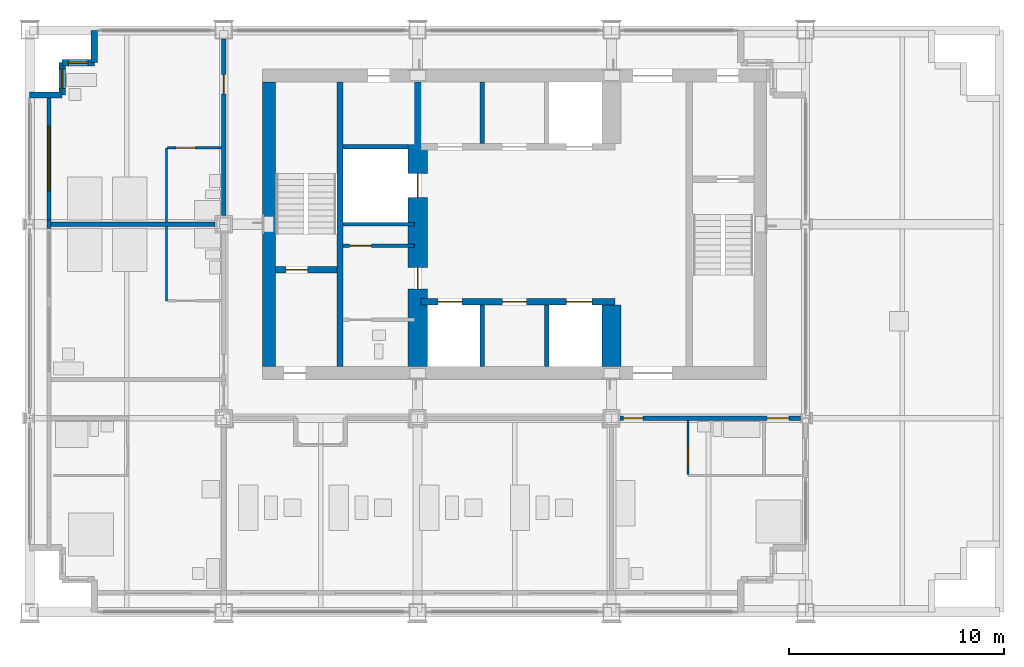
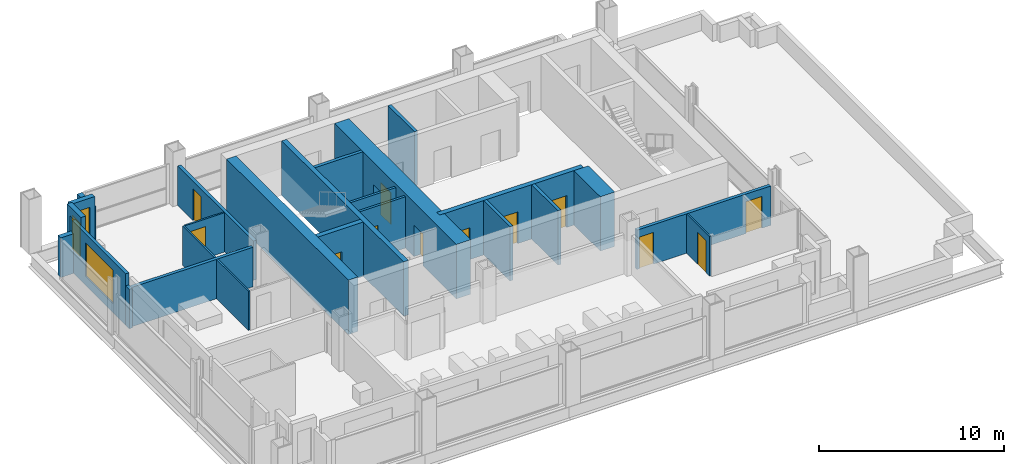
# One storey, part 7 of 12: 25 walls, 12 doors, 3 windows, 15 openings.
"""IFC4 building model written with IfcOpenShell, lengths in metres."""

from ifc_helpers import new_model, si_unit, direction, frame, frame_2d, origin, place, context, subcontext, project, spatial, rectangle, extrude, material, layer, layer_set, type_object, element, fill, save


model = new_model("IFC4")

# Units and contexts
model_context = context("Model", 3, precision=1e-05, world=origin(), true_north=direction((0.0, 1.0)))
body_context = subcontext(model_context, "Body", "Model", "MODEL_VIEW")
ifc_project = project(units=[si_unit("LENGTHUNIT", "METRE"), si_unit("AREAUNIT", "SQUARE_METRE"), si_unit("VOLUMEUNIT", "CUBIC_METRE"), si_unit("PLANEANGLEUNIT", "RADIAN"), si_unit("MASSUNIT", "GRAM", prefix="KILO")], contexts=[model_context])

# Site, building, storey
site_placement = place(None, origin())
site = spatial("IfcSite", under=ifc_project, at=site_placement, CompositionType="ELEMENT")
building_placement = place(site_placement, origin())
building = spatial("IfcBuilding", under=site, at=building_placement, Name="Loomwork Tower", CompositionType="ELEMENT")
storey_placement = place(building_placement, frame((0.0, 0.0, 226.60009765625)))
storey = spatial("IfcBuildingStorey", under=building, at=storey_placement, Name="L62", CompositionType="ELEMENT", Elevation=226.60009765625)

# Wall
ifc_material_1 = material(Name="Concrete 14000 psi (97 MPa)", Category="concrete")
ifc_layer_1 = layer(ifc_material_1, 0.300048828125)
ifc_layer_set_1 = layer_set([ifc_layer_1], Name="Core shear wall 300")
wall_type_1 = type_object("IfcWallType", Name="Core shear wall 300", PredefinedType="SHEAR", material=ifc_layer_set_1)
wall_1_placement = place(storey_placement, frame((14.39990234375, 11.39990234375, 0.0), z_axis=(0.0, 0.0, 1.0), x_axis=(0.0, 1.0, 0.0)))
element("IfcWall", 1, at=wall_1_placement, inside=storey, type_object=wall_type_1, Name="Stair A east wall L62", PredefinedType="SHEAR", context=body_context, shape_type="SweptSolid", body=[
    extrude(rectangle(XDim=13.2001953125, YDim=0.300048828125, at=frame_2d((6.60009765625, 0.0))), origin(), (0.0, 0.0, 1.0), 3.599853515625),
])

# Wall, opening, door
wall_2_placement = place(storey_placement, frame((11.39990234375, 15.89990234375, 0.0), z_axis=(0.0, 0.0, 1.0), x_axis=(1.0, 0.0, 0.0)))
wall_2 = element("IfcWall", 2, at=wall_2_placement, inside=storey, type_object=wall_type_1, Name="Stair A south wall L62", PredefinedType="SHEAR", context=body_context, shape_type="SweptSolid", body=[
    extrude(rectangle(XDim=2.85009765625, YDim=0.300048828125, at=frame_2d((1.425048828125, 0.0))), origin(), (0.0, 0.0, 1.0), 3.599853515625),
])
opening_1_placement = place(wall_2_placement, frame((0.5, 0.0, 0.0)))
opening_1 = element("IfcOpeningElement", 3, at=opening_1_placement, cuts=wall_2, Name="Opening D4", PredefinedType="OPENING", context=body_context, shape_type="SweptSolid", body=[
    extrude(rectangle(XDim=1.0, YDim=2.10009765625, at=frame_2d((0.5, 1.050048828125))), frame((0.0, 0.159912109375, 0.0), z_axis=(0.0, -1.0, 0.0), x_axis=(1.0, 0.0, 0.0)), (0.0, 0.0, 1.0), 0.320068359375),
])
ifc_material_2 = material(Name="Hollow metal door and frame")
door_type_1 = type_object("IfcDoorType", Name="Stair door 1000", OperationType="SINGLE_SWING_RIGHT", PredefinedType="DOOR", material=ifc_material_2)
door_1_placement = place(opening_1_placement, origin())
door_1 = element("IfcDoor", 4, at=door_1_placement, inside=storey, type_object=door_type_1, Name="Stair A door", OperationType="SINGLE_SWING_LEFT", OverallHeight=2.10009765625, OverallWidth=1.0, PredefinedType="DOOR", context=body_context, shape_type="SweptSolid", body=[
    extrude(rectangle(XDim=1.0, YDim=2.10009765625, at=frame_2d((0.5, 1.050048828125))), frame((0.0, 0.02490234375, 0.0), z_axis=(0.0, -1.0, 0.0), x_axis=(1.0, 0.0, 0.0)), (0.0, 0.0, 1.0), 0.050048828125),
])
fill(opening_1, door_1)

# Wall, openings, doors
wall_3_placement = place(storey_placement, frame((18.14990234375, 14.39990234375, 0.0), z_axis=(0.0, 0.0, 1.0), x_axis=(1.0, 0.0, 0.0)))
wall_3 = element("IfcWall", 5, at=wall_3_placement, inside=storey, type_object=wall_type_1, Name="Lift front wall south L62", PredefinedType="SHEAR", context=body_context, shape_type="SweptSolid", body=[
    extrude(rectangle(XDim=9.0, YDim=0.300048828125, at=frame_2d((4.5, 0.0))), origin(), (0.0, 0.0, 1.0), 3.599853515625),
])
opening_2_placement = place(wall_3_placement, frame((0.800048828125, 0.0, 0.0)))
opening_2 = element("IfcOpeningElement", 6, at=opening_2_placement, cuts=wall_3, Name="Opening LD1", PredefinedType="OPENING", context=body_context, shape_type="SweptSolid", body=[
    extrude(rectangle(XDim=1.10009765625, YDim=2.10009765625, at=frame_2d((0.550048828125, 1.050048828125))), frame((0.0, 0.159912109375, 0.0), z_axis=(0.0, -1.0, 0.0), x_axis=(1.0, 0.0, 0.0)), (0.0, 0.0, 1.0), 0.320068359375),
])
opening_3_placement = place(wall_3_placement, frame((6.75, 0.0, 0.0)))
opening_3 = element("IfcOpeningElement", 7, at=opening_3_placement, cuts=wall_3, Name="Opening LD2", PredefinedType="OPENING", context=body_context, shape_type="SweptSolid", body=[
    extrude(rectangle(XDim=1.199951171875, YDim=2.10009765625, at=frame_2d((0.60009765625, 1.050048828125))), frame((0.0, 0.159912109375, 0.0), z_axis=(0.0, -1.0, 0.0), x_axis=(1.0, 0.0, 0.0)), (0.0, 0.0, 1.0), 0.320068359375),
])
opening_4_placement = place(wall_3_placement, frame((3.800048828125, 0.0, 0.0)))
opening_4 = element("IfcOpeningElement", 8, at=opening_4_placement, cuts=wall_3, Name="Opening D17", PredefinedType="OPENING", context=body_context, shape_type="SweptSolid", body=[
    extrude(rectangle(XDim=1.10009765625, YDim=2.10009765625, at=frame_2d((0.550048828125, 1.050048828125))), frame((0.0, 0.159912109375, 0.0), z_axis=(0.0, -1.0, 0.0), x_axis=(1.0, 0.0, 0.0)), (0.0, 0.0, 1.0), 0.320068359375),
])
ifc_material_3 = material(Name="Hollow metal door and frame")
door_type_2 = type_object("IfcDoorType", Name="Lift landing door 1100", OperationType="SLIDING_TO_LEFT", PredefinedType="DOOR", material=ifc_material_3)
door_2_placement = place(opening_2_placement, origin())
door_2 = element("IfcDoor", 9, at=door_2_placement, inside=storey, type_object=door_type_2, Name="Lift landing door LC1", OperationType="SLIDING_TO_LEFT", OverallHeight=2.10009765625, OverallWidth=1.10009765625, PredefinedType="DOOR", context=body_context, shape_type="SweptSolid", body=[
    extrude(rectangle(XDim=1.10009765625, YDim=2.10009765625, at=frame_2d((0.550048828125, 1.050048828125))), frame((0.0, 0.02490234375, 0.0), z_axis=(0.0, -1.0, 0.0), x_axis=(1.0, 0.0, 0.0)), (0.0, 0.0, 1.0), 0.050048828125),
])
fill(opening_2, door_2)
ifc_material_4 = material(Name="Hollow metal door and frame")
door_type_3 = type_object("IfcDoorType", Name="Lift landing door 1200", OperationType="SLIDING_TO_LEFT", PredefinedType="DOOR", material=ifc_material_4)
door_3_placement = place(opening_3_placement, origin())
door_3 = element("IfcDoor", 10, at=door_3_placement, inside=storey, type_object=door_type_3, Name="Lift landing door LF1", OperationType="SLIDING_TO_LEFT", OverallHeight=2.10009765625, OverallWidth=1.199951171875, PredefinedType="DOOR", context=body_context, shape_type="SweptSolid", body=[
    extrude(rectangle(XDim=1.199951171875, YDim=2.10009765625, at=frame_2d((0.60009765625, 1.050048828125))), frame((0.0, 0.02490234375, 0.0), z_axis=(0.0, -1.0, 0.0), x_axis=(1.0, 0.0, 0.0)), (0.0, 0.0, 1.0), 0.050048828125),
])
fill(opening_3, door_3)
ifc_material_5 = material(Name="Hollow metal door and frame")
door_type_4 = type_object("IfcDoorType", Name="Service room door 1100", OperationType="SINGLE_SWING_LEFT", PredefinedType="DOOR", material=ifc_material_5)
door_4_placement = place(opening_4_placement, frame((1.10009765625, 0.0, 0.0), z_axis=(0.0, 0.0, 1.0), x_axis=(-1.0, 0.0, 0.0)))
door_4 = element("IfcDoor", 11, at=door_4_placement, inside=storey, type_object=door_type_4, Name="Storage room door L62", OperationType="SINGLE_SWING_RIGHT", OverallHeight=2.10009765625, OverallWidth=1.10009765625, PredefinedType="DOOR", context=body_context, shape_type="SweptSolid", body=[
    extrude(rectangle(XDim=1.10009765625, YDim=2.10009765625, at=frame_2d((0.550048828125, 1.050048828125))), frame((0.0, 0.02490234375, 0.0), z_axis=(0.0, -1.0, 0.0), x_axis=(1.0, 0.0, 0.0)), (0.0, 0.0, 1.0), 0.050048828125),
])
fill(opening_4, door_4)

# Wall
ifc_material_6 = material(Name="Concrete 14000 psi (97 MPa)", Category="concrete")
ifc_layer_2 = layer(ifc_material_6, 0.60009765625)
ifc_layer_set_2 = layer_set([ifc_layer_2], Name="Core shear wall 600")
wall_type_2 = type_object("IfcWallType", Name="Core shear wall 600", PredefinedType="SHEAR", material=ifc_layer_set_2)
wall_4_placement = place(storey_placement, frame((11.10009765625, 11.39990234375, 0.0), z_axis=(0.0, 0.0, 1.0), x_axis=(0.0, 1.0, 0.0)))
element("IfcWall", 12, at=wall_4_placement, inside=storey, type_object=wall_type_2, Name="Core wall west L62", PredefinedType="SHEAR", context=body_context, shape_type="SweptSolid", body=[
    extrude(rectangle(XDim=13.2001953125, YDim=0.60009765625, at=frame_2d((6.60009765625, 0.0))), origin(), (0.0, 0.0, 1.0), 3.599853515625),
])

# Wall, openings, doors
ifc_material_7 = material(Name="Concrete 14000 psi (97 MPa)", Category="concrete")
ifc_layer_3 = layer(ifc_material_7, 0.89990234375)
ifc_layer_set_3 = layer_set([ifc_layer_3], Name="Core shear wall 900")
wall_type_3 = type_object("IfcWallType", Name="Core shear wall 900", PredefinedType="SHEAR", material=ifc_layer_set_3)
wall_5_placement = place(storey_placement, frame((18.0, 11.39990234375, 0.0), z_axis=(0.0, 0.0, 1.0), x_axis=(0.0, 1.0, 0.0)))
wall_5 = element("IfcWall", 13, at=wall_5_placement, inside=storey, type_object=wall_type_3, Name="Lobby west wall L62", PredefinedType="SHEAR", context=body_context, shape_type="SweptSolid", body=[
    extrude(rectangle(XDim=13.2001953125, YDim=0.89990234375, at=frame_2d((6.60009765625, 0.0))), origin(), (0.0, 0.0, 1.0), 3.599853515625),
])
opening_5_placement = place(wall_5_placement, frame((3.60009765625, 0.0, 0.0)))
opening_5 = element("IfcOpeningElement", 14, at=opening_5_placement, cuts=wall_5, Name="Opening D5", PredefinedType="OPENING", context=body_context, shape_type="SweptSolid", body=[
    extrude(rectangle(XDim=1.0, YDim=2.10009765625, at=frame_2d((0.5, 1.050048828125))), frame((0.0, 0.4599609375, 0.0), z_axis=(0.0, -1.0, 0.0), x_axis=(1.0, 0.0, 0.0)), (0.0, 0.0, 1.0), 0.919921875),
])
opening_6_placement = place(wall_5_placement, frame((7.85009765625, 0.0, 0.0)))
opening_6 = element("IfcOpeningElement", 15, at=opening_6_placement, cuts=wall_5, Name="Opening LD1", PredefinedType="OPENING", context=body_context, shape_type="SweptSolid", body=[
    extrude(rectangle(XDim=1.10009765625, YDim=2.10009765625, at=frame_2d((0.550048828125, 1.050048828125))), frame((0.0, 0.4599609375, 0.0), z_axis=(0.0, -1.0, 0.0), x_axis=(1.0, 0.0, 0.0)), (0.0, 0.0, 1.0), 0.919921875),
])
door_5_placement = place(opening_6_placement, origin())
door_5 = element("IfcDoor", 16, at=door_5_placement, inside=storey, type_object=door_type_2, Name="Lift landing door LC2", OperationType="SLIDING_TO_LEFT", OverallHeight=2.10009765625, OverallWidth=1.10009765625, PredefinedType="DOOR", context=body_context, shape_type="SweptSolid", body=[
    extrude(rectangle(XDim=1.10009765625, YDim=2.10009765625, at=frame_2d((0.550048828125, 1.050048828125))), frame((0.0, 0.02490234375, 0.0), z_axis=(0.0, -1.0, 0.0), x_axis=(1.0, 0.0, 0.0)), (0.0, 0.0, 1.0), 0.050048828125),
])
fill(opening_6, door_5)
ifc_material_8 = material(Name="Hollow metal door and frame")
door_type_5 = type_object("IfcDoorType", Name="Service door 1000", OperationType="SINGLE_SWING_LEFT", PredefinedType="DOOR", material=ifc_material_8)
door_6_placement = place(opening_5_placement, origin())
door_6 = element("IfcDoor", 17, at=door_6_placement, inside=storey, type_object=door_type_5, Name="Back-of-house door south", OperationType="SINGLE_SWING_LEFT", OverallHeight=2.10009765625, OverallWidth=1.0, PredefinedType="DOOR", context=body_context, shape_type="SweptSolid", body=[
    extrude(rectangle(XDim=1.0, YDim=2.10009765625, at=frame_2d((0.5, 1.050048828125))), frame((0.0, 0.02490234375, 0.0), z_axis=(0.0, -1.0, 0.0), x_axis=(1.0, 0.0, 0.0)), (0.0, 0.0, 1.0), 0.050048828125),
])
fill(opening_5, door_6)

# Wall
wall_6_placement = place(storey_placement, frame((27.0, 11.39990234375, 0.0), z_axis=(0.0, 0.0, 1.0), x_axis=(0.0, 1.0, 0.0)))
element("IfcWall", 18, at=wall_6_placement, inside=storey, type_object=wall_type_3, Name="Lift shaft end wall south L62", PredefinedType="SHEAR", context=body_context, shape_type="SweptSolid", body=[
    extrude(rectangle(XDim=2.85009765625, YDim=0.89990234375, at=frame_2d((1.425048828125, 0.0))), origin(), (0.0, 0.0, 1.0), 3.599853515625),
])

# Wall, openings, doors
ifc_material_9 = material(Name="Gypsum board on steel studs, one-hour", Category="steel")
ifc_layer_4 = layer(ifc_material_9, 0.199951171875)
ifc_layer_set_4 = layer_set([ifc_layer_4], Name="Corridor wall 200")
wall_type_4 = type_object("IfcWallType", Name="Corridor wall 200", PredefinedType="PARTITIONING", material=ifc_layer_set_4)
wall_7_placement = place(storey_placement, frame((27.39990234375, 9.0, 0.0), z_axis=(0.0, 0.0, 1.0), x_axis=(1.0, 0.0, 0.0)))
wall_7 = element("IfcWall", 19, at=wall_7_placement, inside=storey, type_object=wall_type_4, Name="South corridor wall 4", PredefinedType="PARTITIONING", context=body_context, shape_type="SweptSolid", body=[
    extrude(rectangle(XDim=8.36767578125, YDim=0.199951171875, at=frame_2d((4.183837890625, 0.0))), origin(), (0.0, 0.0, 1.0), 2.60498046875),
])
opening_7_placement = place(wall_7_placement, frame((6.824951171875, 0.0, 0.0)))
opening_7 = element("IfcOpeningElement", 20, at=opening_7_placement, cuts=wall_7, Name="Opening D15", PredefinedType="OPENING", context=body_context, shape_type="SweptSolid", body=[
    extrude(rectangle(XDim=1.0, YDim=2.10009765625, at=frame_2d((0.5, 1.050048828125))), frame((0.0, 0.10986328125, 0.0), z_axis=(0.0, -1.0, 0.0), x_axis=(1.0, 0.0, 0.0)), (0.0, 0.0, 1.0), 0.219970703125),
])
opening_8_placement = place(wall_7_placement, frame((0.14990234375, 0.0, 0.0)))
opening_8 = element("IfcOpeningElement", 21, at=opening_8_placement, cuts=wall_7, Name="Opening D1", PredefinedType="OPENING", context=body_context, shape_type="SweptSolid", body=[
    extrude(rectangle(XDim=0.89990234375, YDim=2.10009765625, at=frame_2d((0.449951171875, 1.050048828125))), frame((0.0, 0.10986328125, 0.0), z_axis=(0.0, -1.0, 0.0), x_axis=(1.0, 0.0, 0.0)), (0.0, 0.0, 1.0), 0.219970703125),
])
ifc_material_10 = material(Name="Hollow metal door and frame")
door_type_6 = type_object("IfcDoorType", Name="Fire-rated room door 1000", OperationType="SINGLE_SWING_LEFT", PredefinedType="DOOR", material=ifc_material_10)
door_7_placement = place(opening_7_placement, frame((1.0, 0.0, 0.0), z_axis=(0.0, 0.0, 1.0), x_axis=(-1.0, 0.0, 0.0)))
door_7 = element("IfcDoor", 22, at=door_7_placement, inside=storey, type_object=door_type_6, Name="Roof maintenance access door L62", OperationType="SINGLE_SWING_RIGHT", OverallHeight=2.10009765625, OverallWidth=1.0, PredefinedType="DOOR", context=body_context, shape_type="SweptSolid", body=[
    extrude(rectangle(XDim=1.0, YDim=2.10009765625, at=frame_2d((0.5, 1.050048828125))), frame((0.0, 0.02490234375, 0.0), z_axis=(0.0, -1.0, 0.0), x_axis=(1.0, 0.0, 0.0)), (0.0, 0.0, 1.0), 0.050048828125),
])
fill(opening_7, door_7)
ifc_material_11 = material(Name="Hollow metal door and frame")
door_type_7 = type_object("IfcDoorType", Name="Guest room entry door 900", OperationType="SINGLE_SWING_LEFT", PredefinedType="DOOR", material=ifc_material_11)
door_8_placement = place(opening_8_placement, frame((0.89990234375, 0.0, 0.0), z_axis=(0.0, 0.0, 1.0), x_axis=(-1.0, 0.0, 0.0)))
door_8 = element("IfcDoor", 23, at=door_8_placement, inside=storey, type_object=door_type_7, Name="Guest room entry door L62 3", OperationType="SINGLE_SWING_RIGHT", OverallHeight=2.10009765625, OverallWidth=0.89990234375, PredefinedType="DOOR", context=body_context, shape_type="SweptSolid", body=[
    extrude(rectangle(XDim=0.89990234375, YDim=2.10009765625, at=frame_2d((0.449951171875, 1.050048828125))), frame((0.0, 0.02490234375, 0.0), z_axis=(0.0, -1.0, 0.0), x_axis=(1.0, 0.0, 0.0)), (0.0, 0.0, 1.0), 0.050048828125),
])
fill(opening_8, door_8)

# Wall, opening, door
wall_8_placement = place(storey_placement, frame((9.0, 18.39990234375, 0.0), z_axis=(0.0, 0.0, 1.0), x_axis=(0.0, 1.0, 0.0)))
wall_8 = element("IfcWall", 24, at=wall_8_placement, inside=storey, type_object=wall_type_4, Name="West corridor wall 2", PredefinedType="PARTITIONING", context=body_context, shape_type="SweptSolid", body=[
    extrude(rectangle(XDim=8.2001953125, YDim=0.199951171875, at=frame_2d((4.10009765625, 0.0))), origin(), (0.0, 0.0, 1.0), 2.60498046875),
])
opening_9_placement = place(wall_8_placement, frame((5.64990234375, 0.0, 0.0)))
opening_9 = element("IfcOpeningElement", 25, at=opening_9_placement, cuts=wall_8, Name="Opening D1", PredefinedType="OPENING", context=body_context, shape_type="SweptSolid", body=[
    extrude(rectangle(XDim=0.89990234375, YDim=2.10009765625, at=frame_2d((0.449951171875, 1.050048828125))), frame((0.0, 0.10986328125, 0.0), z_axis=(0.0, -1.0, 0.0), x_axis=(1.0, 0.0, 0.0)), (0.0, 0.0, 1.0), 0.219970703125),
])
door_9_placement = place(opening_9_placement, origin())
door_9 = element("IfcDoor", 26, at=door_9_placement, inside=storey, type_object=door_type_7, Name="Guest room entry door L62 5", OperationType="SINGLE_SWING_RIGHT", OverallHeight=2.10009765625, OverallWidth=0.89990234375, PredefinedType="DOOR", context=body_context, shape_type="SweptSolid", body=[
    extrude(rectangle(XDim=0.89990234375, YDim=2.10009765625, at=frame_2d((0.449951171875, 1.050048828125))), frame((0.0, 0.02490234375, 0.0), z_axis=(0.0, -1.0, 0.0), x_axis=(1.0, 0.0, 0.0)), (0.0, 0.0, 1.0), 0.050048828125),
])
fill(opening_9, door_9)

ifc_material_12 = material(Name="Cement board on steel studs", Category="steel")
ifc_layer_5 = layer(ifc_material_12, 0.10009765625)
ifc_layer_set_5 = layer_set([ifc_layer_5], Name="En-suite partition 100")
wall_type_5 = type_object("IfcWallType", Name="En-suite partition 100", PredefinedType="PARTITIONING", material=ifc_layer_set_5)
wall_9_placement = place(storey_placement, frame((30.550048828125, 8.89990234375, 0.0), z_axis=(0.0, 0.0, 1.0), x_axis=(0.0, -1.0, 0.0)))
wall_9 = element("IfcWall", 27, at=wall_9_placement, inside=storey, type_object=wall_type_5, Name="En-suite side wall L62 room 3", PredefinedType="PARTITIONING", context=body_context, shape_type="SweptSolid", body=[
    extrude(rectangle(XDim=2.5, YDim=0.10009765625, at=frame_2d((1.25, 0.0))), origin(), (0.0, 0.0, 1.0), 2.60400390625),
])
opening_10_placement = place(wall_9_placement, frame((1.199951171875, 0.0, 0.0)))
opening_10 = element("IfcOpeningElement", 28, at=opening_10_placement, cuts=wall_9, Name="Opening D2", PredefinedType="OPENING", context=body_context, shape_type="SweptSolid", body=[
    extrude(rectangle(XDim=0.89990234375, YDim=2.10009765625, at=frame_2d((0.449951171875, 1.050048828125))), frame((0.0, 0.06005859375, 0.0), z_axis=(0.0, -1.0, 0.0), x_axis=(1.0, 0.0, 0.0)), (0.0, 0.0, 1.0), 0.1201171875),
])
ifc_material_13 = material(Name="Hollow metal door and frame")
door_type_8 = type_object("IfcDoorType", Name="En-suite door 900", OperationType="SINGLE_SWING_LEFT", PredefinedType="DOOR", material=ifc_material_13)
door_10_placement = place(opening_10_placement, origin())
door_10 = element("IfcDoor", 29, at=door_10_placement, inside=storey, type_object=door_type_8, Name="En-suite door room 3", OperationType="SINGLE_SWING_RIGHT", OverallHeight=2.10009765625, OverallWidth=0.89990234375, PredefinedType="DOOR", context=body_context, shape_type="SweptSolid", body=[
    extrude(rectangle(XDim=0.89990234375, YDim=2.10009765625, at=frame_2d((0.449951171875, 1.050048828125))), frame((0.0, 0.02490234375, 0.0), z_axis=(0.0, -1.0, 0.0), x_axis=(1.0, 0.0, 0.0)), (0.0, 0.0, 1.0), 0.050048828125),
])
fill(opening_10, door_10)

# Walls
for number, where, z_axis, x_axis, name in (
    (30, (6.35009765625, 14.449951171875, 0.0), (0.0, 0.0, 1.0), (0.0, 1.0, 0.0), "En-suite wall L62 room 4"),
    (31, (6.35009765625, 18.10009765625, 0.0), (0.0, 0.0, 1.0), (0.0, 1.0, 0.0), "En-suite wall L62 room 5"),
):
    element("IfcWall", number, at=place(storey_placement, frame(where, z_axis=z_axis, x_axis=x_axis)), inside=storey, type_object=wall_type_5, Name=name, PredefinedType="PARTITIONING", context=body_context, shape_type="SweptSolid", body=[
        extrude(rectangle(XDim=3.449951171875, YDim=0.10009765625, at=frame_2d((1.72509765625, 0.0))), origin(), (0.0, 0.0, 1.0), 2.60400390625),
    ])

# Wall, opening, door
wall_10_placement = place(storey_placement, frame((8.89990234375, 21.550048828125, 0.0), z_axis=(0.0, 0.0, 1.0), x_axis=(-1.0, 0.0, 0.0)))
wall_10 = element("IfcWall", 32, at=wall_10_placement, inside=storey, type_object=wall_type_5, Name="En-suite side wall L62 room 5", PredefinedType="PARTITIONING", context=body_context, shape_type="SweptSolid", body=[
    extrude(rectangle(XDim=2.5, YDim=0.10009765625, at=frame_2d((1.25, 0.0))), origin(), (0.0, 0.0, 1.0), 2.60400390625),
])
opening_11_placement = place(wall_10_placement, frame((1.199951171875, 0.0, 0.0)))
opening_11 = element("IfcOpeningElement", 33, at=opening_11_placement, cuts=wall_10, Name="Opening D2", PredefinedType="OPENING", context=body_context, shape_type="SweptSolid", body=[
    extrude(rectangle(XDim=0.89990234375, YDim=2.10009765625, at=frame_2d((0.449951171875, 1.050048828125))), frame((0.0, 0.06005859375, 0.0), z_axis=(0.0, -1.0, 0.0), x_axis=(1.0, 0.0, 0.0)), (0.0, 0.0, 1.0), 0.1201171875),
])
door_11_placement = place(opening_11_placement, origin())
door_11 = element("IfcDoor", 34, at=door_11_placement, inside=storey, type_object=door_type_8, Name="En-suite door room 5", OperationType="SINGLE_SWING_RIGHT", OverallHeight=2.10009765625, OverallWidth=0.89990234375, PredefinedType="DOOR", context=body_context, shape_type="SweptSolid", body=[
    extrude(rectangle(XDim=0.89990234375, YDim=2.10009765625, at=frame_2d((0.449951171875, 1.050048828125))), frame((0.0, 0.02490234375, 0.0), z_axis=(0.0, -1.0, 0.0), x_axis=(1.0, 0.0, 0.0)), (0.0, 0.0, 1.0), 0.050048828125),
])
fill(opening_11, door_11)

# Walls
ifc_material_14 = material(Name="Gypsum board on steel studs, acoustic", Category="steel")
ifc_layer_6 = layer(ifc_material_14, 0.199951171875)
ifc_layer_set_6 = layer_set([ifc_layer_6], Name="Guest room party wall 200")
wall_type_6 = type_object("IfcWallType", Name="Guest room party wall 200", PredefinedType="PARTITIONING", material=ifc_layer_set_6)
wall_11_placement = place(storey_placement, frame((8.60009765625, 18.0, 0.0), z_axis=(0.0, 0.0, 1.0), x_axis=(-1.0, 0.0, 0.0)))
element("IfcWall", 35, at=wall_11_placement, inside=storey, type_object=wall_type_6, Name="Guest room party wall W 18", PredefinedType="PARTITIONING", context=body_context, shape_type="SweptSolid", body=[
    extrude(rectangle(XDim=7.60009765625, YDim=0.199951171875, at=frame_2d((3.800048828125, 0.0))), origin(), (0.0, 0.0, 1.0), 2.60498046875),
])
ifc_material_15 = material(Name="Insulated steel stud wall with gypsum lining", Category="steel")
ifc_layer_7 = layer(ifc_material_15, 0.199951171875)
ifc_layer_set_7 = layer_set([ifc_layer_7], Name="Inner skin wall 200")
wall_type_7 = type_object("IfcWallType", Name="Inner skin wall 200", PredefinedType="SOLIDWALL", material=ifc_layer_set_7)
wall_12_placement = place(storey_placement, frame((0.89990234375, 17.80615234375, 0.0), z_axis=(0.0, 0.0, 1.0), x_axis=(0.0, 1.0, 0.0)))
element("IfcWall", 36, at=wall_12_placement, inside=storey, type_object=wall_type_7, Name="Inner skin wall W bay 6", PredefinedType="SOLIDWALL", context=body_context, shape_type="SweptSolid", body=[
    extrude(rectangle(XDim=0.3876953125, YDim=0.199951171875, at=frame_2d((0.19384765625, 0.0))), origin(), (0.0, 0.0, 1.0), 2.60400390625),
])

# Wall, opening, window
wall_13_placement = place(storey_placement, frame((0.89990234375, 18.19384765625, 0.0), z_axis=(0.0, 0.0, 1.0), x_axis=(0.0, 1.0, 0.0)))
wall_13 = element("IfcWall", 37, at=wall_13_placement, inside=storey, type_object=wall_type_7, Name="Inner skin wall W bay 7", PredefinedType="SOLIDWALL", context=body_context, shape_type="SweptSolid", body=[
    extrude(rectangle(XDim=5.80615234375, YDim=0.199951171875, at=frame_2d((2.903076171875, 0.0))), origin(), (0.0, 0.0, 1.0), 3.39990234375),
])
opening_12_placement = place(wall_13_placement, frame((1.356201171875, 0.0, 0.60009765625)))
opening_12 = element("IfcOpeningElement", 38, at=opening_12_placement, cuts=wall_13, Name="Opening CH1", PredefinedType="OPENING", context=body_context, shape_type="SweptSolid", body=[
    extrude(rectangle(XDim=3.0, YDim=2.199951171875, at=frame_2d((1.5, 1.10009765625))), frame((0.0, 0.10986328125, 0.0), z_axis=(0.0, -1.0, 0.0), x_axis=(1.0, 0.0, 0.0)), (0.0, 0.0, 1.0), 0.219970703125),
])
ifc_material_16 = material(Name="Aluminium frame with clear insulated glass", Category="aluminium")
window_type_1 = type_object("IfcWindowType", Name="Chicago window 3000", PartitioningType="TRIPLE_PANEL_VERTICAL", PredefinedType="WINDOW", material=ifc_material_16)
window_1_placement = place(opening_12_placement, origin())
window_1 = element("IfcWindow", 39, at=window_1_placement, inside=storey, type_object=window_type_1, Name="Chicago window L62 bay 6", OverallHeight=2.199951171875, OverallWidth=3.0, PartitioningType="TRIPLE_PANEL_VERTICAL", PredefinedType="WINDOW", context=body_context, shape_type="SweptSolid", body=[
    extrude(rectangle(XDim=3.0, YDim=2.199951171875, at=frame_2d((1.5, 1.10009765625))), frame((0.0, 0.030029296875, 0.0), z_axis=(0.0, -1.0, 0.0), x_axis=(1.0, 0.0, 0.0)), (0.0, 0.0, 1.0), 0.06005859375),
])
fill(opening_12, window_1)

# Walls
ifc_material_17 = material(Name="Concrete 14000 psi (97 MPa)", Category="concrete")
ifc_layer_8 = layer(ifc_material_17, 0.199951171875)
ifc_layer_set_8 = layer_set([ifc_layer_8], Name="Lift shaft wall 200")
wall_type_8 = type_object("IfcWallType", Name="Lift shaft wall 200", PredefinedType="SHEAR", material=ifc_layer_set_8)
for number, where, z_axis, x_axis, name in (
    (40, (21.0, 11.39990234375, 0.0), (0.0, 0.0, 1.0), (0.0, 1.0, 0.0), "Lift shaft separation wall south 1 L62"),
    (41, (24.0, 11.39990234375, 0.0), (0.0, 0.0, 1.0), (0.0, 1.0, 0.0), "Lift shaft separation wall south 2 L62"),
    (42, (21.0, 21.75, 0.0), (0.0, 0.0, 1.0), (0.0, 1.0, 0.0), "Lift shaft separation wall north 1 L62"),
):
    element("IfcWall", number, at=place(storey_placement, frame(where, z_axis=z_axis, x_axis=x_axis)), inside=storey, type_object=wall_type_8, Name=name, PredefinedType="SHEAR", context=body_context, shape_type="SweptSolid", body=[
        extrude(rectangle(XDim=2.85009765625, YDim=0.199951171875, at=frame_2d((1.425048828125, 0.0))), origin(), (0.0, 0.0, 1.0), 3.599853515625),
    ])
wall_14_placement = place(storey_placement, frame((14.550048828125, 21.60009765625, 0.0), z_axis=(0.0, 0.0, 1.0), x_axis=(1.0, 0.0, 0.0)))
element("IfcWall", 43, at=wall_14_placement, inside=storey, type_object=wall_type_8, Name="Lift shaft wall west north L62", PredefinedType="SHEAR", context=body_context, shape_type="SweptSolid", body=[
    extrude(rectangle(XDim=3.0, YDim=0.199951171875, at=frame_2d((1.5, 0.0))), origin(), (0.0, 0.0, 1.0), 3.599853515625),
])
ifc_material_18 = material(Name="Limestone on concrete masonry", Category="masonry")
ifc_layer_9 = layer(ifc_material_18, 0.300048828125)
ifc_layer_set_9 = layer_set([ifc_layer_9], Name="Limestone corner wall 300")
wall_type_9 = type_object("IfcWallType", Name="Limestone corner wall 300", PredefinedType="SOLIDWALL", material=ifc_layer_set_9)
wall_15_placement = place(storey_placement, frame((3.0, 27.0, 0.0), z_axis=(0.0, 0.0, 1.0), x_axis=(0.0, -1.0, 0.0)))
element("IfcWall", 44, at=wall_15_placement, inside=storey, type_object=wall_type_9, Name="Stone corner wall NW 1", PredefinedType="SOLIDWALL", context=body_context, shape_type="SweptSolid", body=[
    extrude(rectangle(XDim=1.5, YDim=0.300048828125, at=frame_2d((0.75, 0.0))), origin(), (0.0, 0.0, 1.0), 2.619873046875),
])

# Wall, opening, window
wall_16_placement = place(storey_placement, frame((3.0, 25.5, 0.0), z_axis=(0.0, 0.0, 1.0), x_axis=(-1.0, 0.0, 0.0)))
wall_16 = element("IfcWall", 45, at=wall_16_placement, inside=storey, type_object=wall_type_9, Name="Stone corner wall NW 2", PredefinedType="SOLIDWALL", context=body_context, shape_type="SweptSolid", body=[
    extrude(rectangle(XDim=1.5, YDim=0.300048828125, at=frame_2d((0.75, 0.0))), origin(), (0.0, 0.0, 1.0), 3.39990234375),
])
opening_13_placement = place(wall_16_placement, frame((0.300048828125, 0.0, 0.60009765625)))
opening_13 = element("IfcOpeningElement", 46, at=opening_13_placement, cuts=wall_16, Name="Opening CH2", PredefinedType="OPENING", context=body_context, shape_type="SweptSolid", body=[
    extrude(rectangle(XDim=0.89990234375, YDim=2.199951171875, at=frame_2d((0.449951171875, 1.10009765625))), frame((0.0, 0.159912109375, 0.0), z_axis=(0.0, -1.0, 0.0), x_axis=(1.0, 0.0, 0.0)), (0.0, 0.0, 1.0), 0.320068359375),
])
ifc_material_19 = material(Name="Aluminium frame with clear insulated glass", Category="aluminium")
window_type_2 = type_object("IfcWindowType", Name="Corner window 900", PartitioningType="SINGLE_PANEL", PredefinedType="WINDOW", material=ifc_material_19)
window_2_placement = place(opening_13_placement, origin())
window_2 = element("IfcWindow", 47, at=window_2_placement, inside=storey, type_object=window_type_2, Name="Corner window NW", OverallHeight=2.199951171875, OverallWidth=0.89990234375, PartitioningType="SINGLE_PANEL", PredefinedType="WINDOW", context=body_context, shape_type="SweptSolid", body=[
    extrude(rectangle(XDim=0.89990234375, YDim=2.199951171875, at=frame_2d((0.449951171875, 1.10009765625))), frame((0.0, 0.030029296875, 0.0), z_axis=(0.0, -1.0, 0.0), x_axis=(1.0, 0.0, 0.0)), (0.0, 0.0, 1.0), 0.06005859375),
])
fill(opening_13, window_2)

wall_17_placement = place(storey_placement, frame((1.5, 25.5, 0.0), z_axis=(0.0, 0.0, 1.0), x_axis=(0.0, -1.0, 0.0)))
wall_17 = element("IfcWall", 48, at=wall_17_placement, inside=storey, type_object=wall_type_9, Name="Stone corner wall NW 3", PredefinedType="SOLIDWALL", context=body_context, shape_type="SweptSolid", body=[
    extrude(rectangle(XDim=1.5, YDim=0.300048828125, at=frame_2d((0.75, 0.0))), origin(), (0.0, 0.0, 1.0), 3.39990234375),
])
opening_14_placement = place(wall_17_placement, frame((0.300048828125, 0.0, 0.60009765625)))
opening_14 = element("IfcOpeningElement", 49, at=opening_14_placement, cuts=wall_17, Name="Opening CH2", PredefinedType="OPENING", context=body_context, shape_type="SweptSolid", body=[
    extrude(rectangle(XDim=0.89990234375, YDim=2.199951171875, at=frame_2d((0.449951171875, 1.10009765625))), frame((0.0, 0.159912109375, 0.0), z_axis=(0.0, -1.0, 0.0), x_axis=(1.0, 0.0, 0.0)), (0.0, 0.0, 1.0), 0.320068359375),
])
window_3_placement = place(opening_14_placement, origin())
window_3 = element("IfcWindow", 50, at=window_3_placement, inside=storey, type_object=window_type_2, Name="Corner window NW", OverallHeight=2.199951171875, OverallWidth=0.89990234375, PartitioningType="SINGLE_PANEL", PredefinedType="WINDOW", context=body_context, shape_type="SweptSolid", body=[
    extrude(rectangle(XDim=0.89990234375, YDim=2.199951171875, at=frame_2d((0.449951171875, 1.10009765625))), frame((0.0, 0.030029296875, 0.0), z_axis=(0.0, -1.0, 0.0), x_axis=(1.0, 0.0, 0.0)), (0.0, 0.0, 1.0), 0.06005859375),
])
fill(opening_14, window_3)

# Walls
wall_18_placement = place(storey_placement, frame((1.5, 24.0, 0.0), z_axis=(0.0, 0.0, 1.0), x_axis=(-1.0, 0.0, 0.0)))
element("IfcWall", 51, at=wall_18_placement, inside=storey, type_object=wall_type_9, Name="Stone corner wall NW 4", PredefinedType="SOLIDWALL", context=body_context, shape_type="SweptSolid", body=[
    extrude(rectangle(XDim=1.5, YDim=0.300048828125, at=frame_2d((0.75, 0.0))), origin(), (0.0, 0.0, 1.0), 2.619873046875),
])
ifc_material_20 = material(Name="Gypsum board on steel studs", Category="steel")
ifc_layer_10 = layer(ifc_material_20, 0.14990234375)
ifc_layer_set_10 = layer_set([ifc_layer_10], Name="Partition 150 two-hour")
wall_type_10 = type_object("IfcWallType", Name="Partition 150 two-hour", PredefinedType="PARTITIONING", material=ifc_layer_set_10)
wall_19_placement = place(storey_placement, frame((14.550048828125, 18.0, 0.0), z_axis=(0.0, 0.0, 1.0), x_axis=(1.0, 0.0, 0.0)))
element("IfcWall", 52, at=wall_19_placement, inside=storey, type_object=wall_type_10, Name="Back-of-house dividing wall L62", PredefinedType="PARTITIONING", context=body_context, shape_type="SweptSolid", body=[
    extrude(rectangle(XDim=3.300048828125, YDim=0.14990234375, at=frame_2d((1.64990234375, 0.0))), origin(), (0.0, 0.0, 1.0), 3.39990234375),
])

# Wall, opening, door
ifc_material_21 = material(Name="Gypsum board on steel studs, one-hour", Category="steel")
ifc_layer_11 = layer(ifc_material_21, 0.14990234375)
ifc_layer_set_11 = layer_set([ifc_layer_11], Name="Service partition 150")
wall_type_11 = type_object("IfcWallType", Name="Service partition 150", PredefinedType="PARTITIONING", material=ifc_layer_set_11)
wall_20_placement = place(storey_placement, frame((14.550048828125, 17.0, 0.0), z_axis=(0.0, 0.0, 1.0), x_axis=(1.0, 0.0, 0.0)))
wall_20 = element("IfcWall", 53, at=wall_20_placement, inside=storey, type_object=wall_type_11, Name="Riser enclosure L62", PredefinedType="PARTITIONING", context=body_context, shape_type="SweptSolid", body=[
    extrude(rectangle(XDim=3.300048828125, YDim=0.14990234375, at=frame_2d((1.64990234375, 0.0))), origin(), (0.0, 0.0, 1.0), 3.39990234375),
])
opening_15_placement = place(wall_20_placement, frame((0.300048828125, 0.0, 0.0)))
opening_15 = element("IfcOpeningElement", 54, at=opening_15_placement, cuts=wall_20, Name="Opening D18", PredefinedType="OPENING", context=body_context, shape_type="SweptSolid", body=[
    extrude(rectangle(XDim=1.0, YDim=2.10009765625, at=frame_2d((0.5, 1.050048828125))), frame((0.0, 0.0849609375, 0.0), z_axis=(0.0, -1.0, 0.0), x_axis=(1.0, 0.0, 0.0)), (0.0, 0.0, 1.0), 0.169921875),
])
ifc_material_22 = material(Name="Hollow metal door and frame")
door_type_9 = type_object("IfcDoorType", Name="Ninety-minute service door 1000", OperationType="SINGLE_SWING_LEFT", PredefinedType="DOOR", material=ifc_material_22)
door_12_placement = place(opening_15_placement, frame((1.0, 0.0, 0.0), z_axis=(0.0, 0.0, 1.0), x_axis=(-1.0, 0.0, 0.0)))
door_12 = element("IfcDoor", 55, at=door_12_placement, inside=storey, type_object=door_type_9, Name="Riser access door", OperationType="SINGLE_SWING_RIGHT", OverallHeight=2.10009765625, OverallWidth=1.0, PredefinedType="DOOR", context=body_context, shape_type="SweptSolid", body=[
    extrude(rectangle(XDim=1.0, YDim=2.10009765625, at=frame_2d((0.5, 1.050048828125))), frame((0.0, 0.02490234375, 0.0), z_axis=(0.0, -1.0, 0.0), x_axis=(1.0, 0.0, 0.0)), (0.0, 0.0, 1.0), 0.050048828125),
])
fill(opening_15, door_12)

save(model, "model.ifc")
